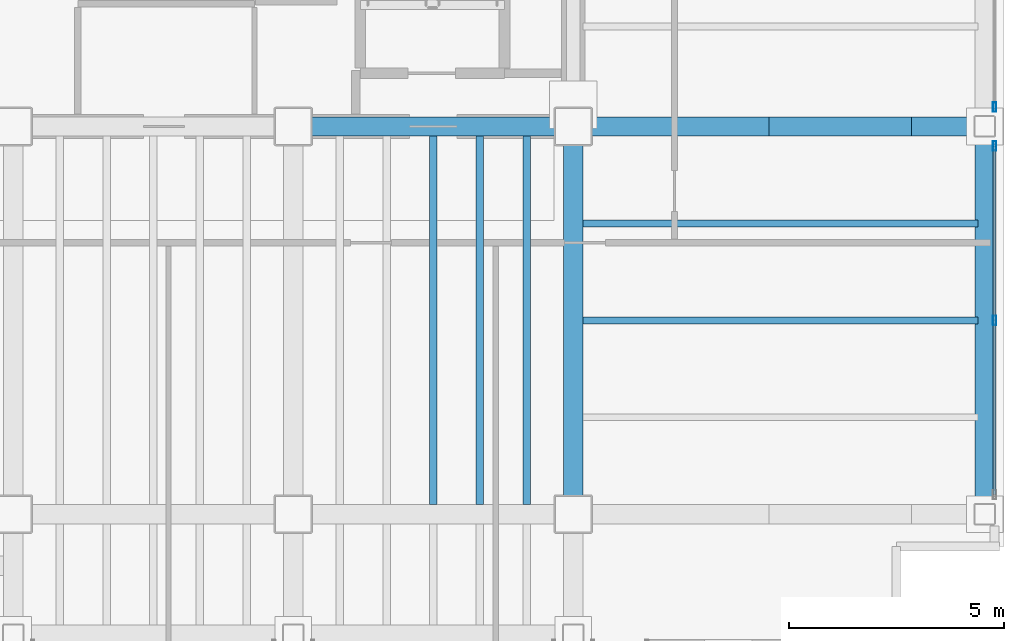
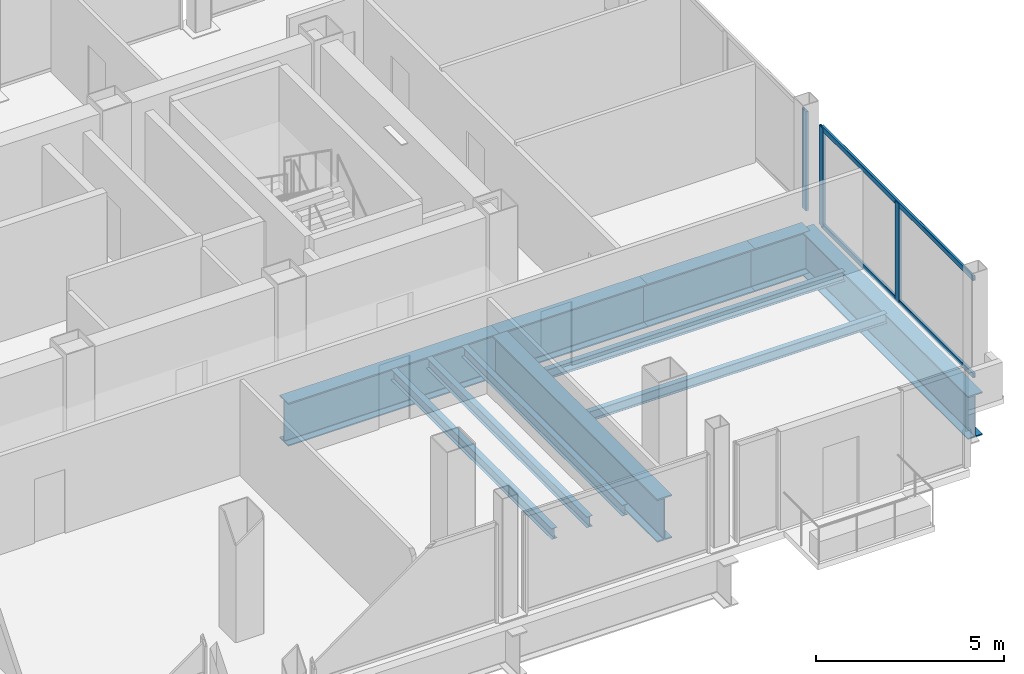
# One storey, part 12 of 19: 11 beams, 5 members, 2 elements without a shape of their own.
"""IFC4 building model written with IfcOpenShell, lengths in metres."""

from ifc_helpers import new_model, si_unit, direction, frame, origin, origin_2d, place, context, subcontext, project, spatial, hollow_rectangle, i_section, extrude, material, material_profile, profile_set, type_object, element, aggregate, save


model = new_model("IFC4")

# Units and contexts
model_context = context("Model", 3, precision=1e-05, world=origin(), true_north=direction((0.0, 1.0)))
body_context = subcontext(model_context, "Body", "Model", "MODEL_VIEW")
ifc_project = project(units=[si_unit("LENGTHUNIT", "METRE"), si_unit("AREAUNIT", "SQUARE_METRE"), si_unit("VOLUMEUNIT", "CUBIC_METRE"), si_unit("PLANEANGLEUNIT", "RADIAN"), si_unit("MASSUNIT", "GRAM", prefix="KILO")], contexts=[model_context])

# Site, building, storey
site_placement = place(None, origin())
site = spatial("IfcSite", under=ifc_project, at=site_placement, CompositionType="ELEMENT")
building_placement = place(site_placement, origin())
building = spatial("IfcBuilding", under=site, at=building_placement, Name="Noeulbin Bourse Tower", CompositionType="ELEMENT")
storey_placement = place(building_placement, frame((0.0, 0.0, 169.5)))
storey = spatial("IfcBuildingStorey", under=building, at=storey_placement, Name="L42", CompositionType="ELEMENT", Elevation=169.5)

# Beams
ifc_material_1 = material(Name="Steel S355", Category="steel")
ifc_material_profile_1 = material_profile(ifc_material_1, i_section(OverallWidth=0.159912109375, OverallDepth=0.320068359375, WebThickness=0.006591796875, FlangeThickness=0.010009765625, FilletRadius=0.012939453125, at=origin_2d()), Name="H-320x160x6.5x10", Category="LoadBearing")
ifc_profile_set_1 = profile_set([ifc_material_profile_1], Name="Steel S355")
beam_type_1 = type_object("IfcBeamType", Name="BM-JST-320", PredefinedType="JOIST", material=ifc_profile_set_1)
for number, where, z_axis, x_axis, name in (
    (1, (44.22509765625, 24.5, -0.39990234375), (1.0, 0.0, 0.0), (0.0, 1.0, 0.0), "Wing Composite Joist L42-E72"),
    (2, (44.22509765625, 26.75, -0.39990234375), (1.0, 0.0, 0.0), (0.0, 1.0, 0.0), "Wing Composite Joist L42-E73"),
):
    element("IfcBeam", number, at=place(storey_placement, frame(where, z_axis=z_axis, x_axis=x_axis)), inside=storey, type_object=beam_type_1, Name=name, PredefinedType="JOIST", context=body_context, shape_type="SweptSolid", body=[
        extrude(i_section(OverallWidth=0.159912109375, OverallDepth=0.320068359375, WebThickness=0.006591796875, FlangeThickness=0.010009765625, FilletRadius=0.012939453125, at=origin_2d()), origin(), (0.0, 0.0, 1.0), 9.1748046875),
    ])
ifc_material_profile_2 = material_profile(ifc_material_1, i_section(OverallWidth=0.175048828125, OverallDepth=0.35009765625, WebThickness=0.007080078125, FlangeThickness=0.010986328125, FilletRadius=0.013916015625, at=origin_2d()), Name="H-350x175x7x11", Category="LoadBearing")
ifc_profile_set_2 = profile_set([ifc_material_profile_2], Name="Steel S355")
beam_type_2 = type_object("IfcBeamType", Name="BM-JST-350", PredefinedType="JOIST", material=ifc_profile_set_2)
for number, where, z_axis, x_axis, name in (
    (3, (40.75, 20.22509765625, -0.4150390625), (0.0, 1.0, 0.0), (-1.0, 0.0, 0.0), "Tower Composite Joist L42-57"),
    (4, (41.833251953125, 20.22509765625, -0.4150390625), (0.0, 1.0, 0.0), (-1.0, 0.0, 0.0), "Tower Composite Joist L42-60"),
    (5, (42.916748046875, 20.22509765625, -0.4150390625), (0.0, 1.0, 0.0), (-1.0, 0.0, 0.0), "Tower Composite Joist L42-63"),
):
    element("IfcBeam", number, at=place(storey_placement, frame(where, z_axis=z_axis, x_axis=x_axis)), inside=storey, type_object=beam_type_2, Name=name, PredefinedType="JOIST", context=body_context, shape_type="SweptSolid", body=[
        extrude(i_section(OverallWidth=0.175048828125, OverallDepth=0.35009765625, WebThickness=0.007080078125, FlangeThickness=0.010986328125, FilletRadius=0.013916015625, at=origin_2d()), origin(), (0.0, 0.0, 1.0), 8.5498046875),
    ])
ifc_material_2 = material(Name="Steel S460", Category="steel")
ifc_material_profile_3 = material_profile(ifc_material_2, i_section(OverallWidth=0.449951171875, OverallDepth=1.39990234375, WebThickness=0.02392578125, FlangeThickness=0.0400390625, FilletRadius=0.02392578125, at=origin_2d()), Name="PG-1400x450x24x40", Category="LoadBearing")
ifc_profile_set_3 = profile_set([ifc_material_profile_3], Name="Steel S460")
beam_type_3 = type_object("IfcBeamType", Name="BM-TRF-1400", PredefinedType="USERDEFINED", material=ifc_profile_set_3)
beam_1_placement = place(storey_placement, frame((37.5, 29.0, -0.93994140625), z_axis=(1.0, 0.0, 0.0), x_axis=(0.0, 1.0, 0.0)))
element("IfcBeam", 6, at=beam_1_placement, inside=storey, type_object=beam_type_3, Name="Tower Primary Girder EW L42-2.5", ObjectType="GIRDER", PredefinedType="USERDEFINED", context=body_context, shape_type="SweptSolid", body=[
    extrude(i_section(OverallWidth=0.449951171875, OverallDepth=1.39990234375, WebThickness=0.02392578125, FlangeThickness=0.0400390625, FilletRadius=0.02392578125, at=origin_2d()), origin(), (0.0, 0.0, 1.0), 6.5),
])
beam_2_placement = place(storey_placement, frame((44.0, 29.0, -0.93994140625), z_axis=(1.0, 0.0, 0.0), x_axis=(0.0, 1.0, 0.0)))
element("IfcBeam", 7, at=beam_2_placement, inside=storey, type_object=beam_type_3, Name="Tower Primary Girder EW L42-2.6", ObjectType="GIRDER", PredefinedType="USERDEFINED", context=body_context, shape_type="SweptSolid", body=[
    extrude(i_section(OverallWidth=0.449951171875, OverallDepth=1.39990234375, WebThickness=0.02392578125, FlangeThickness=0.0400390625, FilletRadius=0.02392578125, at=origin_2d()), origin(), (0.0, 0.0, 1.0), 4.550048828125),
])
beam_3_placement = place(storey_placement, frame((48.550048828125, 29.0, -0.93994140625), z_axis=(1.0, 0.0, 0.0), x_axis=(0.0, 1.0, 0.0)))
element("IfcBeam", 8, at=beam_3_placement, inside=storey, type_object=beam_type_3, Name="Tower Primary Girder EW L42-2.7", ObjectType="GIRDER", PredefinedType="USERDEFINED", context=body_context, shape_type="SweptSolid", body=[
    extrude(i_section(OverallWidth=0.449951171875, OverallDepth=1.39990234375, WebThickness=0.02392578125, FlangeThickness=0.0400390625, FilletRadius=0.02392578125, at=origin_2d()), origin(), (0.0, 0.0, 1.0), 3.300048828125),
])
beam_4_placement = place(storey_placement, frame((51.85009765625, 29.0, -0.93994140625), z_axis=(1.0, 0.0, 0.0), x_axis=(0.0, 1.0, 0.0)))
element("IfcBeam", 9, at=beam_4_placement, inside=storey, type_object=beam_type_3, Name="Tower Primary Girder EW L42-2.8", ObjectType="GIRDER", PredefinedType="USERDEFINED", context=body_context, shape_type="SweptSolid", body=[
    extrude(i_section(OverallWidth=0.449951171875, OverallDepth=1.39990234375, WebThickness=0.02392578125, FlangeThickness=0.0400390625, FilletRadius=0.02392578125, at=origin_2d()), origin(), (0.0, 0.0, 1.0), 1.699951171875),
])
for number, where, z_axis, x_axis, name in (
    (10, (44.0, 20.0, -0.93994140625), (0.0, 1.0, 0.0), (-1.0, 0.0, 0.0), "Tower Primary Girder NS L42-5.2"),
    (11, (53.550048828125, 20.0, -0.93994140625), (0.0, 1.0, 0.0), (-1.0, 0.0, 0.0), "East Spandrel L42-1"),
):
    element("IfcBeam", number, at=place(storey_placement, frame(where, z_axis=z_axis, x_axis=x_axis)), inside=storey, type_object=beam_type_3, Name=name, ObjectType="GIRDER", PredefinedType="USERDEFINED", context=body_context, shape_type="SweptSolid", body=[
        extrude(i_section(OverallWidth=0.449951171875, OverallDepth=1.39990234375, WebThickness=0.02392578125, FlangeThickness=0.0400390625, FilletRadius=0.02392578125, at=origin_2d()), origin(), (0.0, 0.0, 1.0), 9.0),
    ])

# Curtain wall, members
ifc_material_3 = material(Name="Dark Tinted Triple Glazing", Category="glass")
curtain_wall_type = type_object("IfcCurtainWallType", Name="CW-SYS-3", PredefinedType="NOTDEFINED", material=ifc_material_3)
curtain_wall_1_placement = place(storey_placement, origin())
curtain_wall_1 = element("IfcCurtainWall", 12, at=curtain_wall_1_placement, inside=storey, type_object=curtain_wall_type, Name="Unitised Curtain Wall CW-L42-E-S1", PredefinedType="NOTDEFINED")
ifc_material_4 = material(Name="Anodised Aluminium 6063-T6", Category="aluminium")
ifc_material_profile_4 = material_profile(ifc_material_4, hollow_rectangle(XDim=0.074951171875, YDim=0.219970703125, WallThickness=0.0048828125, InnerFilletRadius=0.00244140625, OuterFilletRadius=0.0048828125, at=origin_2d()), Name="ALU-MULL-75x220x5", Category="LoadBearing")
ifc_profile_set_4 = profile_set([ifc_material_profile_4], Name="Anodised Aluminium 6063-T6")
member_type_1 = type_object("IfcMemberType", Name="CW-SYS-3-MUL", PredefinedType="MULLION", material=ifc_profile_set_4)
member_1_placement = place(storey_placement, frame((53.780029296875, 24.5, -0.02001953125), z_axis=(0.0, 0.0, 1.0), x_axis=(1.0, 0.0, 0.0)))
member_1 = element("IfcMember", 13, at=member_1_placement, type_object=member_type_1, Name="Curtain Wall Mullion CW-L42-E-S1-M01", PredefinedType="MULLION", context=body_context, shape_type="SweptSolid", body=[
    extrude(hollow_rectangle(XDim=0.074951171875, YDim=0.219970703125, WallThickness=0.0048828125, InnerFilletRadius=0.00244140625, OuterFilletRadius=0.0048828125, at=origin_2d()), origin(), (0.0, 0.0, 1.0), 3.219970703125),
])
member_2_placement = place(storey_placement, frame((53.780029296875, 28.550048828125, -0.02001953125), z_axis=(0.0, 0.0, 1.0), x_axis=(1.0, 0.0, 0.0)))
member_2 = element("IfcMember", 14, at=member_2_placement, type_object=member_type_1, Name="Curtain Wall Mullion CW-L42-E-S1-M02", PredefinedType="MULLION", context=body_context, shape_type="SweptSolid", body=[
    extrude(hollow_rectangle(XDim=0.074951171875, YDim=0.219970703125, WallThickness=0.0048828125, InnerFilletRadius=0.00244140625, OuterFilletRadius=0.0048828125, at=origin_2d()), origin(), (0.0, 0.0, 1.0), 3.219970703125),
])

# Curtain wall, member
curtain_wall_2_placement = place(storey_placement, origin())
curtain_wall_2 = element("IfcCurtainWall", 15, at=curtain_wall_2_placement, inside=storey, type_object=curtain_wall_type, Name="Unitised Curtain Wall CW-L42-E-S2", PredefinedType="NOTDEFINED")
member_3_placement = place(storey_placement, frame((53.780029296875, 29.449951171875, -0.02001953125), z_axis=(0.0, 0.0, 1.0), x_axis=(1.0, 0.0, 0.0)))
member_3 = element("IfcMember", 16, at=member_3_placement, type_object=member_type_1, Name="Curtain Wall Mullion CW-L42-E-S2-M00", PredefinedType="MULLION", context=body_context, shape_type="SweptSolid", body=[
    extrude(hollow_rectangle(XDim=0.074951171875, YDim=0.219970703125, WallThickness=0.0048828125, InnerFilletRadius=0.00244140625, OuterFilletRadius=0.0048828125, at=origin_2d()), origin(), (0.0, 0.0, 1.0), 3.219970703125),
])
aggregate(curtain_wall_2, [member_3])

# Member
ifc_material_profile_5 = material_profile(ifc_material_4, hollow_rectangle(XDim=0.074951171875, YDim=0.159912109375, WallThickness=0.0048828125, InnerFilletRadius=0.00244140625, OuterFilletRadius=0.0048828125, at=origin_2d()), Name="ALU-TRAN-75x160x5", Category="LoadBearing")
ifc_profile_set_5 = profile_set([ifc_material_profile_5], Name="Anodised Aluminium 6063-T6")
member_type_2 = type_object("IfcMemberType", Name="CW-SYS-3-TRN", PredefinedType="USERDEFINED", material=ifc_profile_set_5)
member_4_placement = place(storey_placement, frame((53.780029296875, 20.4599609375, 0.010009765625), z_axis=(0.0, 1.0, 0.0), x_axis=(-1.0, 0.0, 0.0)))
member_4 = element("IfcMember", 17, at=member_4_placement, type_object=member_type_2, Name="Curtain Wall Transom CW-L42-E-S1-T00", ObjectType="TRANSOM", PredefinedType="USERDEFINED", context=body_context, shape_type="SweptSolid", body=[
    extrude(hollow_rectangle(XDim=0.074951171875, YDim=0.159912109375, WallThickness=0.0048828125, InnerFilletRadius=0.00244140625, OuterFilletRadius=0.0048828125, at=origin_2d()), origin(), (0.0, 0.0, 1.0), 8.080078125),
])

member_5_placement = place(storey_placement, frame((53.780029296875, 20.4599609375, 3.169921875), z_axis=(0.0, 1.0, 0.0), x_axis=(-1.0, 0.0, 0.0)))
member_5 = element("IfcMember", 18, at=member_5_placement, type_object=member_type_2, Name="Curtain Wall Transom CW-L42-E-S1-T01", ObjectType="TRANSOM", PredefinedType="USERDEFINED", context=body_context, shape_type="SweptSolid", body=[
    extrude(hollow_rectangle(XDim=0.074951171875, YDim=0.159912109375, WallThickness=0.0048828125, InnerFilletRadius=0.00244140625, OuterFilletRadius=0.0048828125, at=origin_2d()), origin(), (0.0, 0.0, 1.0), 8.080078125),
])

aggregate(curtain_wall_1, [member_1, member_2, member_4, member_5])

save(model, "model.ifc")
